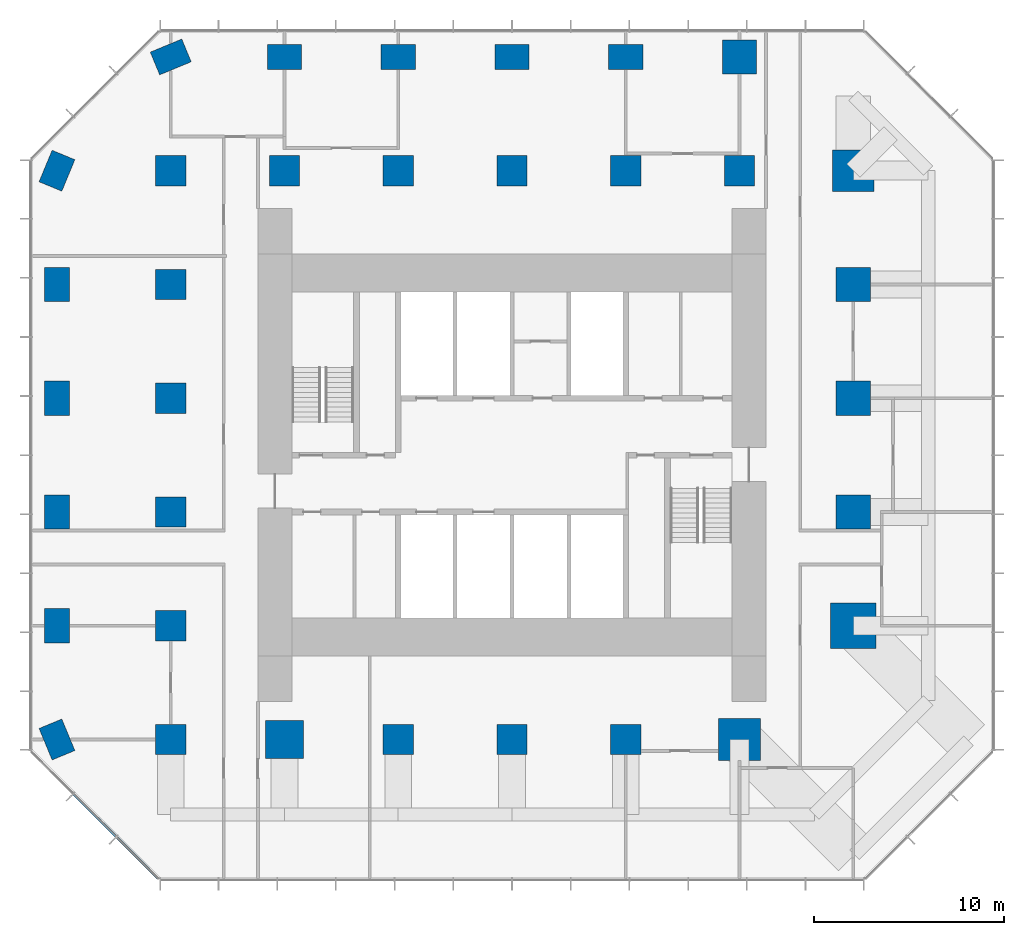
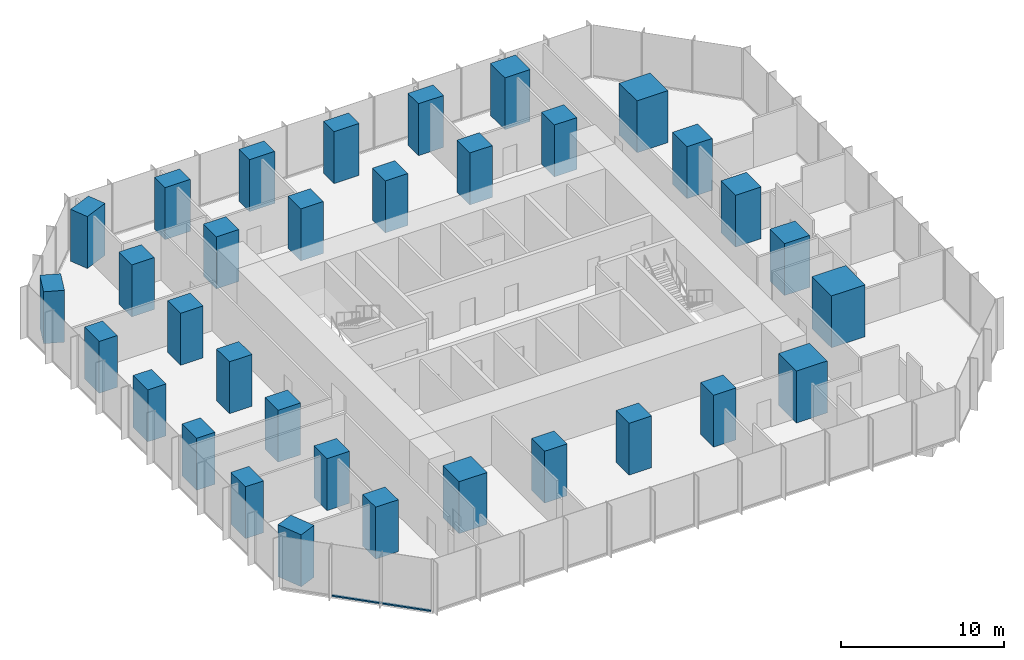
# One storey, part 1 of 11: 33 columns, 2 members, 1 element without a shape of its own.
"""IFC4 building model written with IfcOpenShell, lengths in metres."""

from ifc_helpers import new_model, si_unit, direction, frame, origin, origin_2d, place, context, subcontext, project, spatial, rectangle, extrude, material, layer, layer_set, material_profile, profile_set, type_object, element, aggregate, save


model = new_model("IFC4")

# Units and contexts
model_context = context("Model", 3, precision=1e-05, world=origin(), true_north=direction((0.0, 1.0)))
body_context = subcontext(model_context, "Body", "Model", "MODEL_VIEW")
ifc_project = project(units=[si_unit("LENGTHUNIT", "METRE"), si_unit("AREAUNIT", "SQUARE_METRE"), si_unit("VOLUMEUNIT", "CUBIC_METRE"), si_unit("PLANEANGLEUNIT", "RADIAN"), si_unit("MASSUNIT", "GRAM", prefix="KILO")], contexts=[model_context])

# Site, building, storey
site_placement = place(None, origin())
site = spatial("IfcSite", under=ifc_project, at=site_placement, CompositionType="ELEMENT")
building_placement = place(site_placement, origin())
building = spatial("IfcBuilding", under=site, at=building_placement, Name="Highveld Stack Headquarters", CompositionType="ELEMENT")
storey_placement = place(building_placement, frame((0.0, 0.0, 152.300048828125)))
storey = spatial("IfcBuildingStorey", under=building, at=storey_placement, Name="L37", CompositionType="ELEMENT", Elevation=152.300048828125)

# Columns
ifc_material_1 = material(Name="Concrete C60/75", Category="concrete")
ifc_material_profile_1 = material_profile(ifc_material_1, rectangle(XDim=1.60009765625, YDim=1.60009765625, at=origin_2d()), Name="RC 1600x1600")
ifc_profile_set_1 = profile_set([ifc_material_profile_1], Name="Concrete C60/75")
column_type_1 = type_object("IfcColumnType", Name="COLUMN RC 1600x1600 C60/75", PredefinedType="COLUMN", material=ifc_profile_set_1)
for number, where, z_axis, x_axis, name in (
    (1, (-12.0, -12.0, 0.0), (0.0, 0.0, 1.0), (1.0, 0.0, 0.0), "Column 4/C L37"),
    (2, (-12.0, -6.0, 0.0), (0.0, 0.0, 1.0), (1.0, 0.0, 0.0), "Column 4/D L37"),
    (3, (-12.0, 0.0, 0.0), (0.0, 0.0, 1.0), (1.0, 0.0, 0.0), "Column 4/E L37"),
    (4, (-12.0, 6.0, 0.0), (0.0, 0.0, 1.0), (1.0, 0.0, 0.0), "Column 4/F L37"),
    (5, (-12.0, 12.0, 0.0), (0.0, 0.0, 1.0), (1.0, 0.0, 0.0), "Column 4/G L37"),
    (6, (-12.0, 18.0, 0.0), (0.0, 0.0, 1.0), (1.0, 0.0, 0.0), "Column 4/H L37"),
    (7, (-6.0, 18.0, 0.0), (0.0, 0.0, 1.0), (1.0, 0.0, 0.0), "Column 5/H L37"),
    (8, (0.0, -12.0, 0.0), (0.0, 0.0, 1.0), (1.0, 0.0, 0.0), "Column 6/C L37"),
    (9, (0.0, 18.0, 0.0), (0.0, 0.0, 1.0), (1.0, 0.0, 0.0), "Column 6/H L37"),
    (10, (6.0, -12.0, 0.0), (0.0, 0.0, 1.0), (1.0, 0.0, 0.0), "Column 7/C L37"),
    (11, (6.0, 18.0, 0.0), (0.0, 0.0, 1.0), (1.0, 0.0, 0.0), "Column 7/H L37"),
    (12, (12.0, -12.0, 0.0), (0.0, 0.0, 1.0), (1.0, 0.0, 0.0), "Column 8/C L37"),
    (13, (12.0, 18.0, 0.0), (0.0, 0.0, 1.0), (1.0, 0.0, 0.0), "Column 8/H L37"),
    (14, (18.0, 18.0, 0.0), (0.0, 0.0, 1.0), (1.0, 0.0, 0.0), "Column 9/H L37"),
):
    element("IfcColumn", number, at=place(storey_placement, frame(where, z_axis=z_axis, x_axis=x_axis)), inside=storey, type_object=column_type_1, Name=name, PredefinedType="COLUMN", context=body_context, shape_type="SweptSolid", body=[
        extrude(rectangle(XDim=1.60009765625, YDim=1.60009765625, at=origin_2d()), origin(), (0.0, 0.0, 1.0), 3.89990234375),
    ])
ifc_material_2 = material(Name="Concrete C60/75", Category="concrete")
ifc_material_profile_2 = material_profile(ifc_material_2, rectangle(XDim=1.800048828125, YDim=1.300048828125, at=origin_2d()), Name="RC 1800x1300")
ifc_profile_set_2 = profile_set([ifc_material_profile_2], Name="Concrete C60/75")
column_type_2 = type_object("IfcColumnType", Name="COLUMN RC 1800x1300 C60/75", PredefinedType="COLUMN", material=ifc_profile_set_2)
for number, where, z_axis, x_axis, name in (
    (15, (-18.0, -12.0, 0.0), (0.0, 0.0, 1.0), (-0.382683432365, 0.923879532511, 0.0), "Column 3/C L37"),
    (16, (-18.0, -6.0, 0.0), (0.0, 0.0, 1.0), (0.0, 1.0, 0.0), "Column 3/D L37"),
    (17, (-18.0, 0.0, 0.0), (0.0, 0.0, 1.0), (0.0, 1.0, 0.0), "Column 3/E L37"),
    (18, (-18.0, 6.0, 0.0), (0.0, 0.0, 1.0), (0.0, 1.0, 0.0), "Column 3/F L37"),
    (19, (-18.0, 12.0, 0.0), (0.0, 0.0, 1.0), (0.0, 1.0, 0.0), "Column 3/G L37"),
    (20, (-18.0, 18.0, 0.0), (0.0, 0.0, 1.0), (0.382683432365, 0.923879532511, 0.0), "Column 3/H L37"),
    (21, (-12.0, 24.0, 0.0), (0.0, 0.0, 1.0), (0.923879532511, 0.382683432365, 0.0), "Column 4/J L37"),
    (22, (-6.0, 24.0, 0.0), (0.0, 0.0, 1.0), (1.0, 0.0, 0.0), "Column 5/J L37"),
    (23, (0.0, 24.0, 0.0), (0.0, 0.0, 1.0), (1.0, 0.0, 0.0), "Column 6/J L37"),
    (24, (6.0, 24.0, 0.0), (0.0, 0.0, 1.0), (1.0, 0.0, 0.0), "Column 7/J L37"),
    (25, (12.0, 24.0, 0.0), (0.0, 0.0, 1.0), (1.0, 0.0, 0.0), "Column 8/J L37"),
):
    element("IfcColumn", number, at=place(storey_placement, frame(where, z_axis=z_axis, x_axis=x_axis)), inside=storey, type_object=column_type_2, Name=name, PredefinedType="COLUMN", context=body_context, shape_type="SweptSolid", body=[
        extrude(rectangle(XDim=1.800048828125, YDim=1.300048828125, at=origin_2d()), origin(), (0.0, 0.0, 1.0), 3.89990234375),
    ])
ifc_material_3 = material(Name="Concrete C60/75", Category="concrete")
ifc_material_profile_3 = material_profile(ifc_material_3, rectangle(XDim=1.800048828125, YDim=1.800048828125, at=origin_2d()), Name="RC 1800x1800")
ifc_profile_set_3 = profile_set([ifc_material_profile_3], Name="Concrete C60/75")
column_type_3 = type_object("IfcColumnType", Name="COLUMN RC 1800x1800 C60/75", PredefinedType="COLUMN", material=ifc_profile_set_3)
for number, where, z_axis, x_axis, name in (
    (26, (18.0, 24.0, 0.0), (0.0, 0.0, 1.0), (1.0, 0.0, 0.0), "Column 9/J L37"),
    (27, (24.0, 0.0, 0.0), (0.0, 0.0, 1.0), (1.0, 0.0, 0.0), "Column 10/E L37"),
    (28, (24.0, 6.0, 0.0), (0.0, 0.0, 1.0), (1.0, 0.0, 0.0), "Column 10/F L37"),
    (29, (24.0, 12.0, 0.0), (0.0, 0.0, 1.0), (1.0, 0.0, 0.0), "Column 10/G L37"),
):
    element("IfcColumn", number, at=place(storey_placement, frame(where, z_axis=z_axis, x_axis=x_axis)), inside=storey, type_object=column_type_3, Name=name, PredefinedType="COLUMN", context=body_context, shape_type="SweptSolid", body=[
        extrude(rectangle(XDim=1.800048828125, YDim=1.800048828125, at=origin_2d()), origin(), (0.0, 0.0, 1.0), 3.89990234375),
    ])
ifc_material_4 = material(Name="Concrete C60/75", Category="concrete")
ifc_material_profile_4 = material_profile(ifc_material_4, rectangle(XDim=2.0, YDim=2.0, at=origin_2d()), Name="RC 2000x2000")
ifc_profile_set_4 = profile_set([ifc_material_profile_4], Name="Concrete C60/75")
column_type_4 = type_object("IfcColumnType", Name="COLUMN RC 2000x2000 C60/75", PredefinedType="COLUMN", material=ifc_profile_set_4)
column_1_placement = place(storey_placement, frame((-6.0, -12.0, 0.0), z_axis=(0.0, 0.0, 1.0), x_axis=(1.0, 0.0, 0.0)))
element("IfcColumn", 30, at=column_1_placement, inside=storey, type_object=column_type_4, Name="Column 5/C L37", PredefinedType="COLUMN", context=body_context, shape_type="SweptSolid", body=[
    extrude(rectangle(XDim=2.0, YDim=2.0, at=origin_2d()), origin(), (0.0, 0.0, 1.0), 3.89990234375),
])
ifc_material_5 = material(Name="Concrete C60/75", Category="concrete")
ifc_material_profile_5 = material_profile(ifc_material_5, rectangle(XDim=2.199951171875, YDim=2.199951171875, at=origin_2d()), Name="RC 2200x2200")
ifc_profile_set_5 = profile_set([ifc_material_profile_5], Name="Concrete C60/75")
column_type_5 = type_object("IfcColumnType", Name="COLUMN RC 2200x2200 C60/75", PredefinedType="COLUMN", material=ifc_profile_set_5)
for number, where, z_axis, x_axis, name in (
    (31, (18.0, -12.0, 0.0), (0.0, 0.0, 1.0), (1.0, 0.0, 0.0), "Column 9/C L37"),
    (32, (24.0, 18.0, 0.0), (0.0, 0.0, 1.0), (1.0, 0.0, 0.0), "Column 10/H L37"),
):
    element("IfcColumn", number, at=place(storey_placement, frame(where, z_axis=z_axis, x_axis=x_axis)), inside=storey, type_object=column_type_5, Name=name, PredefinedType="COLUMN", context=body_context, shape_type="SweptSolid", body=[
        extrude(rectangle(XDim=2.199951171875, YDim=2.199951171875, at=origin_2d()), origin(), (0.0, 0.0, 1.0), 3.89990234375),
    ])
ifc_material_6 = material(Name="Concrete C60/75", Category="concrete")
ifc_material_profile_6 = material_profile(ifc_material_6, rectangle(XDim=2.39990234375, YDim=2.39990234375, at=origin_2d()), Name="RC 2400x2400")
ifc_profile_set_6 = profile_set([ifc_material_profile_6], Name="Concrete C60/75")
column_type_6 = type_object("IfcColumnType", Name="COLUMN RC 2400x2400 C60/75", PredefinedType="COLUMN", material=ifc_profile_set_6)
column_2_placement = place(storey_placement, frame((24.0, -6.0, 0.0), z_axis=(0.0, 0.0, 1.0), x_axis=(1.0, 0.0, 0.0)))
element("IfcColumn", 33, at=column_2_placement, inside=storey, type_object=column_type_6, Name="Column 10/D L37", PredefinedType="COLUMN", context=body_context, shape_type="SweptSolid", body=[
    extrude(rectangle(XDim=2.39990234375, YDim=2.39990234375, at=origin_2d()), origin(), (0.0, 0.0, 1.0), 3.89990234375),
])

# Curtain wall, members
ifc_material_7 = material(Name="Aluminium bronze anodised", Category="aluminium")
ifc_layer = layer(ifc_material_7, 0.199951171875)
ifc_layer_set = layer_set([ifc_layer], Name="Aluminium bronze anodised")
curtain_wall_type = type_object("IfcCurtainWallType", Name="CW2 TOWER CHAMFER UNITISED CURTAIN WALL", PredefinedType="NOTDEFINED", material=ifc_layer_set)
curtain_wall_placement = place(storey_placement, origin())
curtain_wall = element("IfcCurtainWall", 34, at=curtain_wall_placement, inside=storey, type_object=curtain_wall_type, Name="Curtain wall CW2 L37 SW", PredefinedType="NOTDEFINED")
ifc_material_8 = material(Name="Aluminium bronze anodised", Category="aluminium")
ifc_material_profile_7 = material_profile(ifc_material_8, rectangle(XDim=0.14990234375, YDim=0.10009765625, at=origin_2d()), Name="CW2 TRANSOM 150x100")
ifc_profile_set_7 = profile_set([ifc_material_profile_7], Name="Aluminium bronze anodised")
member_type = type_object("IfcMemberType", Name="CW2 STACK TRANSOM 150x100", PredefinedType="USERDEFINED", material=ifc_profile_set_7)
member_1_placement = place(storey_placement, frame((-17.103759765625, -14.876220703125, 0.050048828125), z_axis=(0.707106781187, -0.707106781187, 0.0), x_axis=(0.707106781187, 0.707106781187, 0.0)))
member_1 = element("IfcMember", 35, at=member_1_placement, type_object=member_type, Name="CW2 transom L37 2.1", ObjectType="TRANSOM", PredefinedType="USERDEFINED", context=body_context, shape_type="SweptSolid", body=[
    extrude(rectangle(XDim=0.14990234375, YDim=0.10009765625, at=origin_2d()), origin(), (0.0, 0.0, 1.0), 3.150146484375),
])
member_2_placement = place(storey_placement, frame((-14.830322265625, -17.149658203125, 0.050048828125), z_axis=(0.707106781187, -0.707106781187, 0.0), x_axis=(0.707106781187, 0.707106781187, 0.0)))
member_2 = element("IfcMember", 36, at=member_2_placement, type_object=member_type, Name="CW2 transom L37 3.1", ObjectType="TRANSOM", PredefinedType="USERDEFINED", context=body_context, shape_type="SweptSolid", body=[
    extrude(rectangle(XDim=0.14990234375, YDim=0.10009765625, at=origin_2d()), origin(), (0.0, 0.0, 1.0), 3.08251953125),
])
aggregate(curtain_wall, [member_1, member_2])

save(model, "model.ifc")
